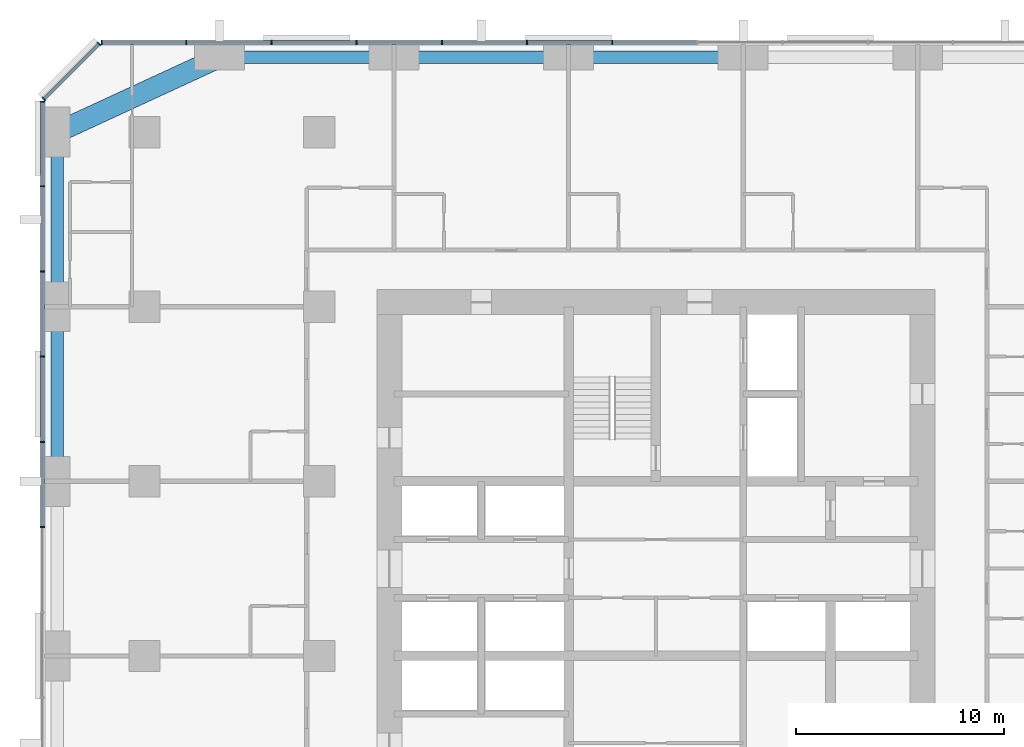
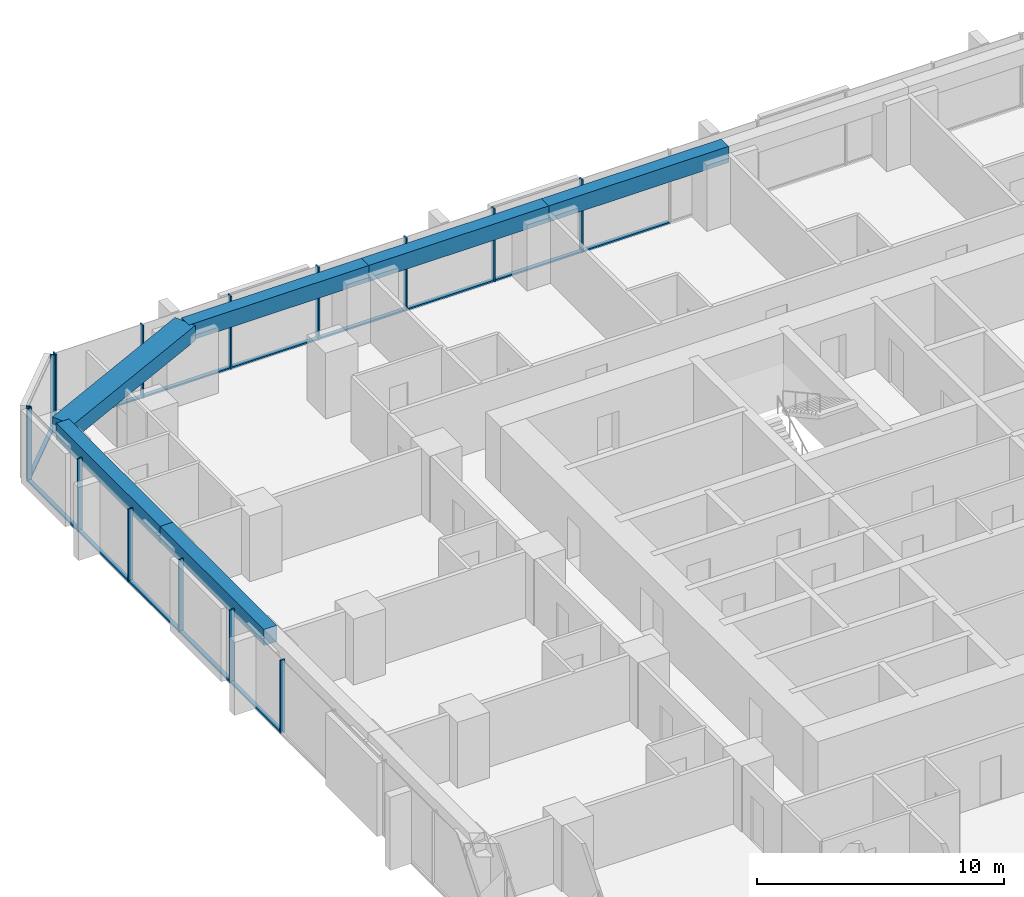
# One storey, part 5 of 13: 28 members, 6 beams, 3 elements without a shape of their own.
"""IFC4 building model written with IfcOpenShell, lengths in metres."""

import ifcopenshell
import ifcopenshell.guid

model = None  # the IFC model being written
_history = None  # IfcOwnerHistory: only IFC2X3 demands one
_inside = {}  # id of a spatial element -> (the spatial element, [elements in it])
_under = {}  # id of a project, library or spatial element -> (it, [spatial elements below it])
_declared = {}  # id of a project -> (the project, [libraries it declares])
_typed = {}  # id of a type object -> (the type object, [elements of that type])
_made_of = {}  # id of a material, layer set ... -> (it, [elements and type objects made of it])


def new_model(schema):
    """Start an empty IFC model of exactly this schema.

    Asked for "IFC4X3", IfcOpenShell would pick the latest addendum, in which some entities
    have other attributes; the version numbers below select the first issue.
    IFC2X3 requires an IfcOwnerHistory on every rooted entity: one is made here for all.
    """
    global model, _history
    if schema == "IFC4X3":
        model = ifcopenshell.file(schema_version=(4, 3, 0, 0))
    else:
        model = ifcopenshell.file(schema=schema)
    _inside.clear()
    _under.clear()
    _declared.clear()
    _typed.clear()
    _made_of.clear()
    _history = None
    if model.schema == "IFC2X3":
        org = make("IfcOrganization", Name="unknown")
        user = make(
            "IfcPersonAndOrganization",
            ThePerson=make("IfcPerson", FamilyName="unknown"),
            TheOrganization=org,
        )
        app = make(
            "IfcApplication",
            ApplicationDeveloper=org,
            Version="unknown",
            ApplicationFullName="unknown",
            ApplicationIdentifier="unknown",
        )
        _history = make(
            "IfcOwnerHistory",
            OwningUser=user,
            OwningApplication=app,
            ChangeAction="ADDED",
            CreationDate=0,
        )
    return model


def make(cls, **values):
    """One entity of the class cls with the attributes given. An attribute that is None is left unset."""
    return model.create_entity(
        cls, **{name: value for name, value in values.items() if value is not None}
    )


def rooted(cls, **values):
    """An entity with a GlobalId (a new one), such as an element, a storey or a relation."""
    return make(cls, GlobalId=ifcopenshell.guid.new(), OwnerHistory=_history, **values)


def si_unit(unit_type, name, prefix=None):
    """IfcSIUnit, for example si_unit("LENGTHUNIT", "METRE", prefix="MILLI")."""
    return make("IfcSIUnit", UnitType=unit_type, Prefix=prefix, Name=name)


def assignment(units):
    """IfcUnitAssignment: the units of a project."""
    return None if units is None else make("IfcUnitAssignment", Units=units)


def point(xyz):
    """IfcCartesianPoint."""
    return None if xyz is None else make("IfcCartesianPoint", Coordinates=xyz)


def direction(xyz):
    """IfcDirection."""
    return None if xyz is None else make("IfcDirection", DirectionRatios=xyz)


def frame(location, z_axis=None, x_axis=None):
    """IfcAxis2Placement3D, a coordinate frame: its origin and axes. An axis left out is left unset."""
    return make(
        "IfcAxis2Placement3D",
        Location=point(location),
        Axis=direction(z_axis),
        RefDirection=direction(x_axis),
    )


def frame_2d(location, x_axis=None):
    """IfcAxis2Placement2D, a coordinate frame in the plane: its origin and x axis."""
    return make(
        "IfcAxis2Placement2D", Location=point(location), RefDirection=direction(x_axis)
    )


def origin():
    """The frame at (0, 0, 0) with its axes left unset."""
    return frame((0.0, 0.0, 0.0))


def origin_2d():
    """The frame at (0, 0) in the plane with its x axis left unset."""
    return frame_2d((0.0, 0.0))


def place(relative_to, where):
    """IfcLocalPlacement: puts the frame where relative to a parent placement (None: the world)."""
    return make(
        "IfcLocalPlacement", PlacementRelTo=relative_to, RelativePlacement=where
    )


def context(
    kind, dimensions, precision=None, world=None, true_north=None, identifier=None
):
    """IfcGeometricRepresentationContext, for example the 3D "Model" context."""
    return make(
        "IfcGeometricRepresentationContext",
        ContextIdentifier=identifier,
        ContextType=kind,
        CoordinateSpaceDimension=dimensions,
        Precision=precision,
        WorldCoordinateSystem=world,
        TrueNorth=true_north,
    )


def subcontext(parent, identifier, kind, view, scale=None):
    """IfcGeometricRepresentationSubContext, for example "Body" below "Model"."""
    return make(
        "IfcGeometricRepresentationSubContext",
        ContextIdentifier=identifier,
        ContextType=kind,
        ParentContext=parent,
        TargetScale=scale,
        TargetView=view,
    )


def project(units=None, contexts=None):
    """IfcProject with its units and contexts."""
    return rooted(
        "IfcProject",
        Name="project",
        RepresentationContexts=contexts,
        UnitsInContext=assignment(units),
    )


def spatial(cls, under=None, at=None, **own):
    """A site, building, storey or space (cls), placed at a placement, below another one or the project."""
    s = rooted(cls, ObjectPlacement=at, **own)
    if under is not None:
        _under.setdefault(under.id(), (under, []))[1].append(s)
    return s


def profile(cls, at=None, kind="AREA", **sizes):
    """A parametric profile (cls). Its sizes go by their IFC names, for example OverallWidth=200.0."""
    return make(cls, ProfileType=kind, Position=at, **sizes)


def rectangle(**sizes):
    """IfcRectangleProfileDef."""
    return profile("IfcRectangleProfileDef", **sizes)


def extrude(swept, where, along, depth):
    """IfcExtrudedAreaSolid: the profile swept, set in the frame where, extruded along a direction by depth."""
    return make(
        "IfcExtrudedAreaSolid",
        SweptArea=swept,
        Position=where,
        ExtrudedDirection=direction(along),
        Depth=depth,
    )


def shape(context_of_items, identifier, shape_type, items):
    """IfcShapeRepresentation: the items that make up one representation, for example the "Body"."""
    return make(
        "IfcShapeRepresentation",
        ContextOfItems=context_of_items,
        RepresentationIdentifier=identifier,
        RepresentationType=shape_type,
        Items=items,
    )


def material(Name=None, Category=None):
    """IfcMaterial."""
    return make("IfcMaterial", Name=Name, Category=Category)


def material_profile(
    of_material, cross_section, Name=None, Category=None, Priority=None
):
    """IfcMaterialProfile: a cross section and its material."""
    return make(
        "IfcMaterialProfile",
        Name=Name,
        Material=of_material,
        Profile=cross_section,
        Priority=Priority,
        Category=Category,
    )


def profile_set(profiles, Name=None, composite=None):
    """IfcMaterialProfileSet."""
    return make(
        "IfcMaterialProfileSet",
        Name=Name,
        MaterialProfiles=profiles,
        CompositeProfile=composite,
    )


def made_of(thing, what):
    """Note that an element or type object is made of a material, layer set ...; save() writes the relation."""
    if what is not None:
        _made_of.setdefault(what.id(), (what, []))[1].append(thing)
    return thing


def type_object(cls, material=None, **own):
    """A type object (cls), such as IfcWallType, which elements share."""
    return made_of(rooted(cls, **own), material)


def element(
    cls,
    number,
    at=None,
    inside=None,
    cuts=None,
    type_object=None,
    material=None,
    context=None,
    identifier="Body",
    shape_type=None,
    held_by="IfcProductDefinitionShape",
    body=None,
    shapes=None,
    **own,
):
    """One element of the class cls, such as IfcWall. Its Tag is "e" and its number.

    at: its placement. inside: the storey or other place that contains it. cuts: it is an
    opening in that element (IfcRelVoidsElement). A single representation is given by context,
    identifier, shape_type and body (its items); several are given by shapes. held_by: the class
    of the entity that holds the representations. save() writes the other relations.
    """
    e = rooted(cls, Tag="e%d" % number, ObjectPlacement=at, **own)
    if body is not None:
        shapes = [shape(context, identifier, shape_type, body)]
    if shapes is not None:
        e.Representation = make(held_by, Representations=shapes)
    if inside is not None:
        _inside.setdefault(inside.id(), (inside, []))[1].append(e)
    if cuts is not None:
        rooted(
            "IfcRelVoidsElement", RelatingBuildingElement=cuts, RelatedOpeningElement=e
        )
    if type_object is not None:
        _typed.setdefault(type_object.id(), (type_object, []))[1].append(e)
    return made_of(e, material)


def aggregate(whole, parts):
    """IfcRelAggregates: a whole, such as a stair, and the parts it consists of."""
    return rooted("IfcRelAggregates", RelatingObject=whole, RelatedObjects=parts)


def save(model, path):
    """Write the relations noted so far, then the file.

    IfcRelAggregates (storeys below a building ...), IfcRelContainedInSpatialStructure (elements
    in a storey), IfcRelDefinesByType, IfcRelAssociatesMaterial and IfcRelDeclares: one each for
    every whole, place, type object, material and project.
    """
    for whole, parts in _under.values():
        aggregate(whole, parts)
    for where, things in _inside.values():
        rooted(
            "IfcRelContainedInSpatialStructure",
            RelatedElements=things,
            RelatingStructure=where,
        )
    for kind, things in _typed.values():
        rooted("IfcRelDefinesByType", RelatedObjects=things, RelatingType=kind)
    for what, things in _made_of.values():
        rooted("IfcRelAssociatesMaterial", RelatedObjects=things, RelatingMaterial=what)
    for by, libraries in _declared.values():
        rooted("IfcRelDeclares", RelatingContext=by, RelatedDefinitions=libraries)
    model.write(path)


model = new_model("IFC4")

# Units and contexts
model_context = context("Model", 3, precision=1e-05, world=origin(), true_north=direction((0.0, 1.0)))
body_context = subcontext(model_context, "Body", "Model", "MODEL_VIEW")
ifc_project = project(units=[si_unit("LENGTHUNIT", "METRE"), si_unit("AREAUNIT", "SQUARE_METRE"), si_unit("VOLUMEUNIT", "CUBIC_METRE"), si_unit("PLANEANGLEUNIT", "RADIAN"), si_unit("MASSUNIT", "GRAM", prefix="KILO")], contexts=[model_context])

# Site, building, storey
site_placement = place(None, origin())
site = spatial("IfcSite", under=ifc_project, at=site_placement, CompositionType="ELEMENT")
building_placement = place(site_placement, origin())
building = spatial("IfcBuilding", under=site, at=building_placement, Name="Dunama Terrace Hotel", CompositionType="ELEMENT")
storey_placement = place(building_placement, frame((0.0, 0.0, 111.60009765625)))
storey = spatial("IfcBuildingStorey", under=building, at=storey_placement, Name="L28", CompositionType="ELEMENT", Elevation=111.60009765625)

# Curtain wall, members
ifc_material_1 = material(Name="Aluminium curtain wall system", Category="aluminium")
curtain_wall_type = type_object("IfcCurtainWallType", Name="Unitised fritted glass wall CW-B", PredefinedType="NOTDEFINED", material=ifc_material_1)
curtain_wall_1_placement = place(storey_placement, origin())
curtain_wall_1 = element("IfcCurtainWall", 1, at=curtain_wall_1_placement, inside=storey, type_object=curtain_wall_type, Name="Unitised fritted glass wall CW-B L28", PredefinedType="NOTDEFINED")
ifc_material_2 = material(Name="Aluminium mullion", Category="aluminium")
ifc_material_profile_1 = material_profile(ifc_material_2, rectangle(XDim=0.06494140625, YDim=0.219970703125, at=origin_2d()), Name="CWB MULLION 65X220")
ifc_profile_set_1 = profile_set([ifc_material_profile_1], Name="Aluminium mullion")
member_type_1 = type_object("IfcMemberType", Name="CWB mullion 65x220", PredefinedType="MULLION", material=ifc_profile_set_1)
member_1_placement = place(storey_placement, frame((27.300048828125, 54.7099609375, 0.0), z_axis=(0.0, 0.0, 1.0), x_axis=(-1.0, 0.0, 0.0)))
member_1 = element("IfcMember", 2, at=member_1_placement, type_object=member_type_1, Name="CWB mullion", PredefinedType="MULLION", context=body_context, shape_type="SweptSolid", body=[
    extrude(rectangle(XDim=0.06494140625, YDim=0.219970703125, at=origin_2d()), origin(), (0.0, 0.0, 1.0), 3.599853515625),
])
member_2_placement = place(storey_placement, frame((23.199951171875, 54.7099609375, 0.0), z_axis=(0.0, 0.0, 1.0), x_axis=(-1.0, 0.0, 0.0)))
member_2 = element("IfcMember", 3, at=member_2_placement, type_object=member_type_1, Name="CWB mullion", PredefinedType="MULLION", context=body_context, shape_type="SweptSolid", body=[
    extrude(rectangle(XDim=0.06494140625, YDim=0.219970703125, at=origin_2d()), origin(), (0.0, 0.0, 1.0), 3.599853515625),
])
member_3_placement = place(storey_placement, frame((19.10009765625, 54.7099609375, 0.0), z_axis=(0.0, 0.0, 1.0), x_axis=(-1.0, 0.0, 0.0)))
member_3 = element("IfcMember", 4, at=member_3_placement, type_object=member_type_1, Name="CWB mullion", PredefinedType="MULLION", context=body_context, shape_type="SweptSolid", body=[
    extrude(rectangle(XDim=0.06494140625, YDim=0.219970703125, at=origin_2d()), origin(), (0.0, 0.0, 1.0), 3.599853515625),
])
member_4_placement = place(storey_placement, frame((15.0, 54.7099609375, 0.0), z_axis=(0.0, 0.0, 1.0), x_axis=(-1.0, 0.0, 0.0)))
member_4 = element("IfcMember", 5, at=member_4_placement, type_object=member_type_1, Name="CWB mullion", PredefinedType="MULLION", context=body_context, shape_type="SweptSolid", body=[
    extrude(rectangle(XDim=0.06494140625, YDim=0.219970703125, at=origin_2d()), origin(), (0.0, 0.0, 1.0), 3.599853515625),
])
member_5_placement = place(storey_placement, frame((10.89990234375, 54.7099609375, 0.0), z_axis=(0.0, 0.0, 1.0), x_axis=(-1.0, 0.0, 0.0)))
member_5 = element("IfcMember", 6, at=member_5_placement, type_object=member_type_1, Name="CWB mullion", PredefinedType="MULLION", context=body_context, shape_type="SweptSolid", body=[
    extrude(rectangle(XDim=0.06494140625, YDim=0.219970703125, at=origin_2d()), origin(), (0.0, 0.0, 1.0), 3.599853515625),
])
member_6_placement = place(storey_placement, frame((6.800048828125, 54.7099609375, 0.0), z_axis=(0.0, 0.0, 1.0), x_axis=(-1.0, 0.0, 0.0)))
member_6 = element("IfcMember", 7, at=member_6_placement, type_object=member_type_1, Name="CWB mullion", PredefinedType="MULLION", context=body_context, shape_type="SweptSolid", body=[
    extrude(rectangle(XDim=0.06494140625, YDim=0.219970703125, at=origin_2d()), origin(), (0.0, 0.0, 1.0), 3.599853515625),
])
member_7_placement = place(storey_placement, frame((2.73291015625, 54.7099609375, 0.0), z_axis=(0.0, 0.0, 1.0), x_axis=(-1.0, 0.0, 0.0)))
member_7 = element("IfcMember", 8, at=member_7_placement, type_object=member_type_1, Name="CWB mullion", PredefinedType="MULLION", context=body_context, shape_type="SweptSolid", body=[
    extrude(rectangle(XDim=0.06494140625, YDim=0.219970703125, at=origin_2d()), origin(), (0.0, 0.0, 1.0), 3.599853515625),
])

curtain_wall_2_placement = place(storey_placement, origin())
curtain_wall_2 = element("IfcCurtainWall", 9, at=curtain_wall_2_placement, inside=storey, type_object=curtain_wall_type, Name="Unitised fritted glass wall CW-B L28", PredefinedType="NOTDEFINED")
member_8_placement = place(storey_placement, frame((2.59912109375, 54.655029296875, 0.0), z_axis=(0.0, 0.0, 1.0), x_axis=(-0.707106781187, -0.707106781187, 0.0)))
member_8 = element("IfcMember", 10, at=member_8_placement, type_object=member_type_1, Name="CWB mullion", PredefinedType="MULLION", context=body_context, shape_type="SweptSolid", body=[
    extrude(rectangle(XDim=0.06494140625, YDim=0.219970703125, at=origin_2d()), origin(), (0.0, 0.0, 1.0), 3.599853515625),
])
member_9_placement = place(storey_placement, frame((-0.054931640625, 52.0009765625, 0.0), z_axis=(0.0, 0.0, 1.0), x_axis=(-0.707106781187, -0.707106781187, 0.0)))
member_9 = element("IfcMember", 11, at=member_9_placement, type_object=member_type_1, Name="CWB mullion", PredefinedType="MULLION", context=body_context, shape_type="SweptSolid", body=[
    extrude(rectangle(XDim=0.06494140625, YDim=0.219970703125, at=origin_2d()), origin(), (0.0, 0.0, 1.0), 3.599853515625),
])

curtain_wall_3_placement = place(storey_placement, origin())
curtain_wall_3 = element("IfcCurtainWall", 12, at=curtain_wall_3_placement, inside=storey, type_object=curtain_wall_type, Name="Unitised fritted glass wall CW-B L28", PredefinedType="NOTDEFINED")
member_10_placement = place(storey_placement, frame((-0.110107421875, 51.866943359375, 0.0), z_axis=(0.0, 0.0, 1.0), x_axis=(0.0, -1.0, 0.0)))
member_10 = element("IfcMember", 13, at=member_10_placement, type_object=member_type_1, Name="CWB mullion", PredefinedType="MULLION", context=body_context, shape_type="SweptSolid", body=[
    extrude(rectangle(XDim=0.06494140625, YDim=0.219970703125, at=origin_2d()), origin(), (0.0, 0.0, 1.0), 3.599853515625),
])
member_11_placement = place(storey_placement, frame((-0.110107421875, 47.800048828125, 0.0), z_axis=(0.0, 0.0, 1.0), x_axis=(0.0, -1.0, 0.0)))
member_11 = element("IfcMember", 14, at=member_11_placement, type_object=member_type_1, Name="CWB mullion", PredefinedType="MULLION", context=body_context, shape_type="SweptSolid", body=[
    extrude(rectangle(XDim=0.06494140625, YDim=0.219970703125, at=origin_2d()), origin(), (0.0, 0.0, 1.0), 3.599853515625),
])
member_12_placement = place(storey_placement, frame((-0.110107421875, 43.699951171875, 0.0), z_axis=(0.0, 0.0, 1.0), x_axis=(0.0, -1.0, 0.0)))
member_12 = element("IfcMember", 15, at=member_12_placement, type_object=member_type_1, Name="CWB mullion", PredefinedType="MULLION", context=body_context, shape_type="SweptSolid", body=[
    extrude(rectangle(XDim=0.06494140625, YDim=0.219970703125, at=origin_2d()), origin(), (0.0, 0.0, 1.0), 3.599853515625),
])
member_13_placement = place(storey_placement, frame((-0.110107421875, 39.60009765625, 0.0), z_axis=(0.0, 0.0, 1.0), x_axis=(0.0, -1.0, 0.0)))
member_13 = element("IfcMember", 16, at=member_13_placement, type_object=member_type_1, Name="CWB mullion", PredefinedType="MULLION", context=body_context, shape_type="SweptSolid", body=[
    extrude(rectangle(XDim=0.06494140625, YDim=0.219970703125, at=origin_2d()), origin(), (0.0, 0.0, 1.0), 3.599853515625),
])
member_14_placement = place(storey_placement, frame((-0.110107421875, 35.5, 0.0), z_axis=(0.0, 0.0, 1.0), x_axis=(0.0, -1.0, 0.0)))
member_14 = element("IfcMember", 17, at=member_14_placement, type_object=member_type_1, Name="CWB mullion", PredefinedType="MULLION", context=body_context, shape_type="SweptSolid", body=[
    extrude(rectangle(XDim=0.06494140625, YDim=0.219970703125, at=origin_2d()), origin(), (0.0, 0.0, 1.0), 3.599853515625),
])
member_15_placement = place(storey_placement, frame((-0.110107421875, 31.39990234375, 0.0), z_axis=(0.0, 0.0, 1.0), x_axis=(0.0, -1.0, 0.0)))
member_15 = element("IfcMember", 18, at=member_15_placement, type_object=member_type_1, Name="CWB mullion", PredefinedType="MULLION", context=body_context, shape_type="SweptSolid", body=[
    extrude(rectangle(XDim=0.06494140625, YDim=0.219970703125, at=origin_2d()), origin(), (0.0, 0.0, 1.0), 3.599853515625),
])

# Member
ifc_material_3 = material(Name="Aluminium transom", Category="aluminium")
ifc_material_profile_2 = material_profile(ifc_material_3, rectangle(XDim=0.179931640625, YDim=0.080078125, at=origin_2d()), Name="CWB TRANSOM 180X80")
ifc_profile_set_2 = profile_set([ifc_material_profile_2], Name="Aluminium transom")
member_type_2 = type_object("IfcMemberType", Name="CWB transom 180x80", PredefinedType="USERDEFINED", material=ifc_profile_set_2)
member_16_placement = place(storey_placement, frame((31.366943359375, 54.7099609375, 0.039794921875), z_axis=(-1.0, 0.0, 0.0), x_axis=(0.0, -1.0, 0.0)))
member_16 = element("IfcMember", 19, at=member_16_placement, type_object=member_type_2, Name="CWB transom", ObjectType="TRANSOM", PredefinedType="USERDEFINED", context=body_context, shape_type="SweptSolid", body=[
    extrude(rectangle(XDim=0.179931640625, YDim=0.080078125, at=origin_2d()), origin(), (0.0, 0.0, 1.0), 4.034912109375),
])

member_17_placement = place(storey_placement, frame((27.26806640625, 54.7099609375, 0.039794921875), z_axis=(-1.0, 0.0, 0.0), x_axis=(0.0, -1.0, 0.0)))
member_17 = element("IfcMember", 20, at=member_17_placement, type_object=member_type_2, Name="CWB transom", ObjectType="TRANSOM", PredefinedType="USERDEFINED", context=body_context, shape_type="SweptSolid", body=[
    extrude(rectangle(XDim=0.179931640625, YDim=0.080078125, at=origin_2d()), origin(), (0.0, 0.0, 1.0), 4.03515625),
])

member_18_placement = place(storey_placement, frame((23.16796875, 54.7099609375, 0.039794921875), z_axis=(-1.0, 0.0, 0.0), x_axis=(0.0, -1.0, 0.0)))
member_18 = element("IfcMember", 21, at=member_18_placement, type_object=member_type_2, Name="CWB transom", ObjectType="TRANSOM", PredefinedType="USERDEFINED", context=body_context, shape_type="SweptSolid", body=[
    extrude(rectangle(XDim=0.179931640625, YDim=0.080078125, at=origin_2d()), origin(), (0.0, 0.0, 1.0), 4.034912109375),
])

member_19_placement = place(storey_placement, frame((19.068115234375, 54.7099609375, 0.039794921875), z_axis=(-1.0, 0.0, 0.0), x_axis=(0.0, -1.0, 0.0)))
member_19 = element("IfcMember", 22, at=member_19_placement, type_object=member_type_2, Name="CWB transom", ObjectType="TRANSOM", PredefinedType="USERDEFINED", context=body_context, shape_type="SweptSolid", body=[
    extrude(rectangle(XDim=0.179931640625, YDim=0.080078125, at=origin_2d()), origin(), (0.0, 0.0, 1.0), 4.0361328125),
])

member_20_placement = place(storey_placement, frame((14.968017578125, 54.7099609375, 0.039794921875), z_axis=(-1.0, 0.0, 0.0), x_axis=(0.0, -1.0, 0.0)))
member_20 = element("IfcMember", 23, at=member_20_placement, type_object=member_type_2, Name="CWB transom", ObjectType="TRANSOM", PredefinedType="USERDEFINED", context=body_context, shape_type="SweptSolid", body=[
    extrude(rectangle(XDim=0.179931640625, YDim=0.080078125, at=origin_2d()), origin(), (0.0, 0.0, 1.0), 4.0361328125),
])

member_21_placement = place(storey_placement, frame((10.866943359375, 54.7099609375, 0.039794921875), z_axis=(-1.0, 0.0, 0.0), x_axis=(0.0, -1.0, 0.0)))
member_21 = element("IfcMember", 24, at=member_21_placement, type_object=member_type_2, Name="CWB transom", ObjectType="TRANSOM", PredefinedType="USERDEFINED", context=body_context, shape_type="SweptSolid", body=[
    extrude(rectangle(XDim=0.179931640625, YDim=0.080078125, at=origin_2d()), origin(), (0.0, 0.0, 1.0), 4.033935546875),
])

member_22_placement = place(storey_placement, frame((6.76806640625, 54.7099609375, 0.039794921875), z_axis=(-1.0, 0.0, 0.0), x_axis=(0.0, -1.0, 0.0)))
member_22 = element("IfcMember", 25, at=member_22_placement, type_object=member_type_2, Name="CWB transom", ObjectType="TRANSOM", PredefinedType="USERDEFINED", context=body_context, shape_type="SweptSolid", body=[
    extrude(rectangle(XDim=0.179931640625, YDim=0.080078125, at=origin_2d()), origin(), (0.0, 0.0, 1.0), 4.003173828125),
])

aggregate(curtain_wall_1, [member_1, member_2, member_3, member_4, member_5, member_6, member_7, member_16, member_17, member_18, member_19, member_20, member_21, member_22])

member_23_placement = place(storey_placement, frame((2.575927734375, 54.632080078125, 0.039794921875), z_axis=(-0.707073683909, -0.707139876915, 0.0), x_axis=(0.707139876915, -0.707073683909, 0.0)))
member_23 = element("IfcMember", 26, at=member_23_placement, type_object=member_type_2, Name="CWB transom", ObjectType="TRANSOM", PredefinedType="USERDEFINED", context=body_context, shape_type="SweptSolid", body=[
    extrude(rectangle(XDim=0.179931640625, YDim=0.080078125, at=origin_2d()), origin(), (0.0, 0.0, 1.0), 3.688232421875),
])

aggregate(curtain_wall_2, [member_8, member_9, member_23])

member_24_placement = place(storey_placement, frame((-0.110107421875, 51.8349609375, 0.039794921875), z_axis=(0.0, -1.0, 0.0), x_axis=(1.0, 0.0, 0.0)))
member_24 = element("IfcMember", 27, at=member_24_placement, type_object=member_type_2, Name="CWB transom", ObjectType="TRANSOM", PredefinedType="USERDEFINED", context=body_context, shape_type="SweptSolid", body=[
    extrude(rectangle(XDim=0.179931640625, YDim=0.080078125, at=origin_2d()), origin(), (0.0, 0.0, 1.0), 4.0029296875),
])

member_25_placement = place(storey_placement, frame((-0.110107421875, 47.76708984375, 0.039794921875), z_axis=(0.0, -1.0, 0.0), x_axis=(1.0, 0.0, 0.0)))
member_25 = element("IfcMember", 28, at=member_25_placement, type_object=member_type_2, Name="CWB transom", ObjectType="TRANSOM", PredefinedType="USERDEFINED", context=body_context, shape_type="SweptSolid", body=[
    extrude(rectangle(XDim=0.179931640625, YDim=0.080078125, at=origin_2d()), origin(), (0.0, 0.0, 1.0), 4.0341796875),
])

member_26_placement = place(storey_placement, frame((-0.110107421875, 43.6669921875, 0.039794921875), z_axis=(0.0, -1.0, 0.0), x_axis=(1.0, 0.0, 0.0)))
member_26 = element("IfcMember", 29, at=member_26_placement, type_object=member_type_2, Name="CWB transom", ObjectType="TRANSOM", PredefinedType="USERDEFINED", context=body_context, shape_type="SweptSolid", body=[
    extrude(rectangle(XDim=0.179931640625, YDim=0.080078125, at=origin_2d()), origin(), (0.0, 0.0, 1.0), 4.033935546875),
])

member_27_placement = place(storey_placement, frame((-0.110107421875, 39.56689453125, 0.039794921875), z_axis=(0.0, -1.0, 0.0), x_axis=(1.0, 0.0, 0.0)))
member_27 = element("IfcMember", 30, at=member_27_placement, type_object=member_type_2, Name="CWB transom", ObjectType="TRANSOM", PredefinedType="USERDEFINED", context=body_context, shape_type="SweptSolid", body=[
    extrude(rectangle(XDim=0.179931640625, YDim=0.080078125, at=origin_2d()), origin(), (0.0, 0.0, 1.0), 4.034912109375),
])

member_28_placement = place(storey_placement, frame((-0.110107421875, 35.468017578125, 0.039794921875), z_axis=(0.0, -1.0, 0.0), x_axis=(1.0, 0.0, 0.0)))
member_28 = element("IfcMember", 31, at=member_28_placement, type_object=member_type_2, Name="CWB transom", ObjectType="TRANSOM", PredefinedType="USERDEFINED", context=body_context, shape_type="SweptSolid", body=[
    extrude(rectangle(XDim=0.179931640625, YDim=0.080078125, at=origin_2d()), origin(), (0.0, 0.0, 1.0), 4.0361328125),
])

aggregate(curtain_wall_3, [member_10, member_11, member_12, member_13, member_14, member_15, member_24, member_25, member_26, member_27, member_28])

# Beams
ifc_material_4 = material(Name="Concrete C50/60", Category="concrete")
ifc_material_profile_3 = material_profile(ifc_material_4, rectangle(XDim=1.0, YDim=0.75, at=origin_2d()), Name="RC 1000x750")
ifc_profile_set_3 = profile_set([ifc_material_profile_3], Name="Concrete C50/60")
beam_type_1 = type_object("IfcBeamType", Name="Edge beam RC 1000x750", PredefinedType="SPANDREL", material=ifc_profile_set_3)
beam_1_placement = place(storey_placement, frame((8.39990234375, 54.0, 3.224853515625), z_axis=(-0.907951066374, -0.419076199598, 0.0), x_axis=(0.419076199598, -0.907951066374, 0.0)))
element("IfcBeam", 32, at=beam_1_placement, inside=storey, type_object=beam_type_1, Name="Corner edge beam under L29", PredefinedType="SPANDREL", context=body_context, shape_type="SweptSolid", body=[
    extrude(rectangle(XDim=1.0, YDim=0.75, at=origin_2d()), origin(), (0.0, 0.0, 1.0), 8.590576171875),
])
ifc_material_5 = material(Name="Concrete C40/50", Category="concrete")
ifc_material_profile_4 = material_profile(ifc_material_5, rectangle(XDim=0.60009765625, YDim=0.800048828125, at=origin_2d()), Name="RC 600x800")
ifc_profile_set_4 = profile_set([ifc_material_profile_4], Name="Concrete C40/50")
beam_type_2 = type_object("IfcBeamType", Name="Edge beam RC 600x800", PredefinedType="SPANDREL", material=ifc_profile_set_4)
for number, where, z_axis, x_axis, name in (
    (33, (0.60009765625, 33.60009765625, 3.199951171875), (0.0, 1.0, 0.0), (-1.0, 0.0, 0.0), "Edge beam under L29"),
    (34, (0.60009765625, 42.0, 3.199951171875), (0.0, 1.0, 0.0), (-1.0, 0.0, 0.0), "Edge beam under L29"),
):
    element("IfcBeam", number, at=place(storey_placement, frame(where, z_axis=z_axis, x_axis=x_axis)), inside=storey, type_object=beam_type_2, Name=name, PredefinedType="SPANDREL", context=body_context, shape_type="SweptSolid", body=[
        extrude(rectangle(XDim=0.60009765625, YDim=0.800048828125, at=origin_2d()), origin(), (0.0, 0.0, 1.0), 8.39990234375),
    ])
beam_2_placement = place(storey_placement, frame((8.39990234375, 54.0, 3.199951171875), z_axis=(1.0, 0.0, 0.0), x_axis=(0.0, 1.0, 0.0)))
element("IfcBeam", 35, at=beam_2_placement, inside=storey, type_object=beam_type_2, Name="Edge beam under L29", PredefinedType="SPANDREL", context=body_context, shape_type="SweptSolid", body=[
    extrude(rectangle(XDim=0.60009765625, YDim=0.800048828125, at=origin_2d()), origin(), (0.0, 0.0, 1.0), 8.400146484375),
])
beam_3_placement = place(storey_placement, frame((16.800048828125, 54.0, 3.199951171875), z_axis=(1.0, 0.0, 0.0), x_axis=(0.0, 1.0, 0.0)))
element("IfcBeam", 36, at=beam_3_placement, inside=storey, type_object=beam_type_2, Name="Edge beam under L29", PredefinedType="SPANDREL", context=body_context, shape_type="SweptSolid", body=[
    extrude(rectangle(XDim=0.60009765625, YDim=0.800048828125, at=origin_2d()), origin(), (0.0, 0.0, 1.0), 8.39990234375),
])
beam_4_placement = place(storey_placement, frame((25.199951171875, 54.0, 3.199951171875), z_axis=(1.0, 0.0, 0.0), x_axis=(0.0, 1.0, 0.0)))
element("IfcBeam", 37, at=beam_4_placement, inside=storey, type_object=beam_type_2, Name="Edge beam under L29", PredefinedType="SPANDREL", context=body_context, shape_type="SweptSolid", body=[
    extrude(rectangle(XDim=0.60009765625, YDim=0.800048828125, at=origin_2d()), origin(), (0.0, 0.0, 1.0), 8.400146484375),
])

save(model, "model.ifc")
